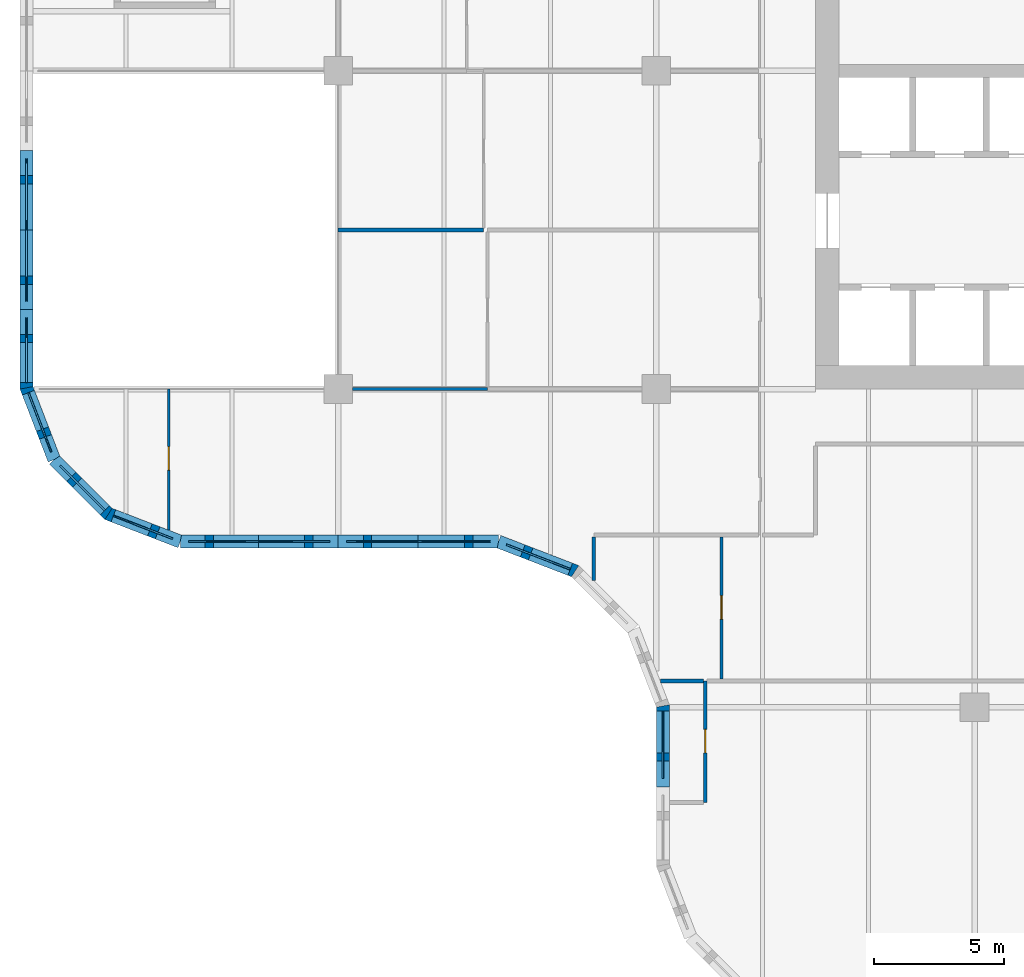
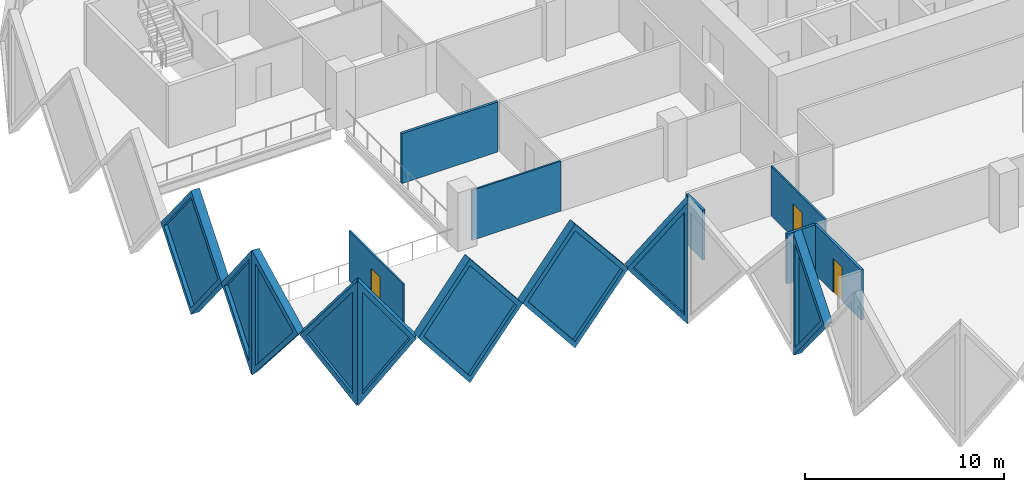
# One storey, part 4 of 18: 16 walls, 9 plates, 3 doors, 12 openings.
"""IFC4 building model written with IfcOpenShell, lengths in metres."""

from ifc_helpers import new_model, si_unit, direction, frame, frame_2d, origin, place, context, subcontext, project, spatial, polyline, rectangle, outline, extrude, faceted_brep, source, transform, mapped, material, layer, layer_set, type_object, element, fill, save


model = new_model("IFC4")

# Units and contexts
model_context = context("Model", 3, precision=1e-05, world=origin(), true_north=direction((0.0, 1.0)))
body_context = subcontext(model_context, "Body", "Model", "MODEL_VIEW")
ifc_project = project(units=[si_unit("LENGTHUNIT", "METRE"), si_unit("AREAUNIT", "SQUARE_METRE"), si_unit("VOLUMEUNIT", "CUBIC_METRE"), si_unit("PLANEANGLEUNIT", "RADIAN"), si_unit("MASSUNIT", "GRAM", prefix="KILO")], contexts=[model_context])

# Site, building, storey
site_placement = place(None, origin())
site = spatial("IfcSite", under=ifc_project, at=site_placement, CompositionType="ELEMENT")
building_placement = place(site_placement, origin())
building = spatial("IfcBuilding", under=site, at=building_placement, Name="Tessera Gate Towers", CompositionType="ELEMENT")
storey_placement = place(building_placement, frame((0.0, 0.0, 44.800048828125)))
storey = spatial("IfcBuildingStorey", under=building, at=storey_placement, Name="L10", CompositionType="ELEMENT", Elevation=44.800048828125)

# Wall, opening, door
ifc_material_1 = material(Name="Glass", Category="glass")
ifc_layer_1 = layer(ifc_material_1, 0.10009765625)
ifc_layer_set_1 = layer_set([ifc_layer_1], Name="GLAZED PARTITION 100")
wall_type_1 = type_object("IfcWallType", Name="GLAZED PARTITION 100", PredefinedType="PARTITIONING", material=ifc_layer_set_1)
wall_1_placement = place(storey_placement, frame((5.699951171875, 18.990234375, 0.0), z_axis=(0.0, 0.0, 1.0), x_axis=(0.0, 1.0, 0.0)))
wall_1 = element("IfcWall", 1, at=wall_1_placement, inside=storey, type_object=wall_type_1, Name="T1-L10-PW-021", PredefinedType="PARTITIONING", context=body_context, shape_type="SweptSolid", body=[
    extrude(rectangle(XDim=5.40966796875, YDim=0.10009765625, at=frame_2d((2.704833984375, 0.0))), origin(), (0.0, 0.0, 1.0), 3.06689453125),
])
shared_shape_1 = source(origin(), body_context, "Body", "SweptSolid", [
    extrude(rectangle(XDim=0.89990234375, YDim=2.10009765625, at=frame_2d((0.449951171875, 1.050048828125))), frame((0.0, 0.06005859375, 0.0), z_axis=(0.0, -1.0, 0.0), x_axis=(1.0, 0.0, 0.0)), (0.0, 0.0, 1.0), 0.1201171875),
])
opening_1_placement = place(wall_1_placement, frame((2.300048828125, 0.0, 0.0)))
opening_1 = element("IfcOpeningElement", 2, at=opening_1_placement, cuts=wall_1, Name="Opening D690-A03-01", PredefinedType="OPENING", context=body_context, shape_type="MappedRepresentation", body=[
    mapped(shared_shape_1, transform((0.0, 0.0, 0.0), scale=1.0)),
])
ifc_material_2 = material(Name="Glass in aluminium frame", Category="aluminium")
door_type_1 = type_object("IfcDoorType", Name="GLAZED DOOR 900 NOT RATED", OperationType="NOTDEFINED", PredefinedType="DOOR", material=ifc_material_2)
shared_shape_2 = source(origin(), body_context, "Body", "SweptSolid", [
    extrude(rectangle(XDim=0.89990234375, YDim=2.10009765625, at=frame_2d((0.449951171875, 1.050048828125))), frame((0.0, 0.02490234375, 0.0), z_axis=(0.0, -1.0, 0.0), x_axis=(1.0, 0.0, 0.0)), (0.0, 0.0, 1.0), 0.050048828125),
])
door_1_placement = place(opening_1_placement, origin())
door_1 = element("IfcDoor", 3, at=door_1_placement, inside=storey, type_object=door_type_1, Name="T1-L10-PD-008", OperationType="SINGLE_SWING_LEFT", OverallHeight=2.10009765625, OverallWidth=0.89990234375, PredefinedType="DOOR", context=body_context, shape_type="MappedRepresentation", body=[
    mapped(shared_shape_2, transform((0.0, 0.0, 0.0), scale=1.0)),
])
fill(opening_1, door_1)

# Wall
wall_2_placement = place(storey_placement, frame((12.7509765625, 24.39990234375, 0.0), z_axis=(0.0, 0.0, 1.0), x_axis=(1.0, 0.0, 0.0)))
element("IfcWall", 4, at=wall_2_placement, inside=storey, type_object=wall_type_1, Name="T1-L10-PW-026", PredefinedType="PARTITIONING", context=body_context, shape_type="SweptSolid", body=[
    extrude(rectangle(XDim=5.173095703125, YDim=0.10009765625, at=frame_2d((2.58642578125, 0.0))), origin(), (0.0, 0.0, 1.0), 3.06689453125),
])

# Wall, opening, door
ifc_material_3 = material(Name="Gypsum board on steel studs", Category="steel")
ifc_layer_2 = layer(ifc_material_3, 0.10009765625)
ifc_layer_set_2 = layer_set([ifc_layer_2], Name="PARTITION 100")
wall_type_2 = type_object("IfcWallType", Name="PARTITION 100", PredefinedType="PARTITIONING", material=ifc_layer_set_2)
wall_3_placement = place(storey_placement, frame((26.89990234375, 13.27587890625, 0.0), z_axis=(0.0, 0.0, 1.0), x_axis=(0.0, 1.0, 0.0)))
wall_3 = element("IfcWall", 5, at=wall_3_placement, inside=storey, type_object=wall_type_2, Name="T1-L10-PW-011", PredefinedType="PARTITIONING", context=body_context, shape_type="SweptSolid", body=[
    extrude(rectangle(XDim=5.4482421875, YDim=0.10009765625, at=frame_2d((2.72412109375, 0.0))), origin(), (0.0, 0.0, 1.0), 3.06689453125),
])
opening_2_placement = place(wall_3_placement, frame((2.300048828125, 0.0, 0.0)))
opening_2 = element("IfcOpeningElement", 6, at=opening_2_placement, cuts=wall_3, Name="Opening D190-A03-06", PredefinedType="OPENING", context=body_context, shape_type="MappedRepresentation", body=[
    mapped(shared_shape_1, transform((0.0, 0.0, 0.0), scale=1.0)),
])
ifc_material_4 = material(Name="Timber door leaf in steel frame", Category="steel")
door_type_2 = type_object("IfcDoorType", Name="INTERNAL DOOR 900 NOT RATED", OperationType="NOTDEFINED", PredefinedType="DOOR", material=ifc_material_4)
door_2_placement = place(opening_2_placement, origin())
door_2 = element("IfcDoor", 7, at=door_2_placement, inside=storey, type_object=door_type_2, Name="T1-L10-PD-009", OperationType="SINGLE_SWING_LEFT", OverallHeight=2.10009765625, OverallWidth=0.89990234375, PredefinedType="DOOR", context=body_context, shape_type="MappedRepresentation", body=[
    mapped(shared_shape_2, transform((0.0, 0.0, 0.0), scale=1.0)),
])
fill(opening_2, door_2)

ifc_material_5 = material(Name="Gypsum board on steel studs, mineral wool", Category="steel")
ifc_layer_3 = layer(ifc_material_5, 0.14990234375)
ifc_layer_set_3 = layer_set([ifc_layer_3], Name="TENANCY WALL 150")
wall_type_3 = type_object("IfcWallType", Name="TENANCY WALL 150", PredefinedType="PARTITIONING", material=ifc_layer_set_3)
wall_4_placement = place(storey_placement, frame((26.27490234375, 8.5478515625, 0.0), z_axis=(0.0, 0.0, 1.0), x_axis=(0.0, 1.0, 0.0)))
wall_4 = element("IfcWall", 8, at=wall_4_placement, inside=storey, type_object=wall_type_3, Name="T1-L10-PW-007", PredefinedType="PARTITIONING", context=body_context, shape_type="SweptSolid", body=[
    extrude(rectangle(XDim=4.652099609375, YDim=0.14990234375, at=frame_2d((2.326171875, 0.0))), origin(), (0.0, 0.0, 1.0), 3.06689453125),
])
shared_shape_3 = source(origin(), body_context, "Body", "SweptSolid", [
    extrude(rectangle(XDim=0.89990234375, YDim=2.10009765625, at=frame_2d((0.449951171875, 1.050048828125))), frame((0.0, 0.0849609375, 0.0), z_axis=(0.0, -1.0, 0.0), x_axis=(1.0, 0.0, 0.0)), (0.0, 0.0, 1.0), 0.169921875),
])
opening_3_placement = place(wall_4_placement, frame((1.89990234375, 0.0, 0.0)))
opening_3 = element("IfcOpeningElement", 9, at=opening_3_placement, cuts=wall_4, Name="Opening D190-A03-09", PredefinedType="OPENING", context=body_context, shape_type="MappedRepresentation", body=[
    mapped(shared_shape_3, transform((0.0, 0.0, 0.0), scale=1.0)),
])
door_3_placement = place(opening_3_placement, origin())
door_3 = element("IfcDoor", 10, at=door_3_placement, inside=storey, type_object=door_type_2, Name="T1-L10-PD-015", OperationType="SINGLE_SWING_LEFT", OverallHeight=2.10009765625, OverallWidth=0.89990234375, PredefinedType="DOOR", context=body_context, shape_type="MappedRepresentation", body=[
    mapped(shared_shape_2, transform((0.0, 0.0, 0.0), scale=1.0)),
])
fill(opening_3, door_3)

# Walls
wall_5_placement = place(storey_placement, frame((24.55029296875, 13.199951171875, 0.0), z_axis=(0.0, 0.0, 1.0), x_axis=(1.0, 0.0, 0.0)))
element("IfcWall", 11, at=wall_5_placement, inside=storey, type_object=wall_type_3, Name="T1-L10-PW-009", PredefinedType="PARTITIONING", context=body_context, shape_type="SweptSolid", body=[
    extrude(rectangle(XDim=1.648681640625, YDim=0.14990234375, at=frame_2d((0.82421875, 0.0))), origin(), (0.0, 0.0, 1.0), 3.06689453125),
])
wall_6_placement = place(storey_placement, frame((22.0, 17.054931640625, 0.0), z_axis=(0.0, 0.0, 1.0), x_axis=(0.0, 1.0, 0.0)))
element("IfcWall", 12, at=wall_6_placement, inside=storey, type_object=wall_type_3, Name="T1-L10-PW-015", PredefinedType="PARTITIONING", context=body_context, shape_type="SweptSolid", body=[
    extrude(rectangle(XDim=1.669189453125, YDim=0.14990234375, at=frame_2d((0.83447265625, 0.0))), origin(), (0.0, 0.0, 1.0), 3.06689453125),
])
wall_7_placement = place(storey_placement, frame((12.199951171875, 30.5, 0.0), z_axis=(0.0, 0.0, 1.0), x_axis=(1.0, 0.0, 0.0)))
element("IfcWall", 13, at=wall_7_placement, inside=storey, type_object=wall_type_3, Name="T1-L10-PW-030", PredefinedType="PARTITIONING", context=body_context, shape_type="SweptSolid", body=[
    extrude(rectangle(XDim=5.574951171875, YDim=0.14990234375, at=frame_2d((2.78759765625, 0.0))), origin(), (0.0, 0.0, 1.0), 3.06689453125),
])

# Wall, opening, plate
ifc_material_6 = material(Name="Precast concrete C60/75 white", Category="concrete")
ifc_layer_4 = layer(ifc_material_6, 0.5)
ifc_layer_set_4 = layer_set([ifc_layer_4], Name="TS1 tessera")
wall_type_4 = type_object("IfcWallType", Name="TS1 tessera", PredefinedType="SOLIDWALL", material=ifc_layer_set_4)
shared_shape_4 = source(origin(), body_context, "Body", "Brep", [
    faceted_brep([(3.00341796875, -0.25, 0.0), (6.053466796875, -0.25, 3.800048828125), (3.00341796875, -0.25, 7.60009765625), (0.0, -0.25, 3.800048828125), (0.046630859375, 0.25, 3.85888671875), (3.00341796875, 0.25, 7.60009765625), (6.053466796875, 0.25, 3.800048828125), (3.00341796875, 0.25, 0.0), (0.046630859375, 0.25, 3.7412109375), (0.0, 0.0, 3.800048828125)], [[[0, 1, 2, 3]], [[4, 5, 6, 7, 8]], [[7, 6, 1, 0]], [[6, 5, 2, 1]], [[5, 4, 9, 3, 2]], [[8, 7, 0, 3, 9]], [[8, 9, 4]]]),
])
wall_8_placement = place(storey_placement, frame((6.146484375, 18.550048828125, -3.800048828125), z_axis=(0.0, 0.0, 1.0), x_axis=(1.0, 0.0, 0.0)))
wall_8 = element("IfcWall", 14, at=wall_8_placement, inside=storey, type_object=wall_type_4, Name="Precast tessera T1 TS1-0136", PredefinedType="SOLIDWALL", context=body_context, shape_type="MappedRepresentation", body=[
    mapped(shared_shape_4, transform((0.0, 0.0, 0.0), scale=1.0)),
])
shared_shape_5 = source(origin(), body_context, "Body", "SweptSolid", [
    extrude(outline(polyline([(3.0048828125, 0.4013671875), (5.73291015625, 3.800048828125), (3.0048828125, 7.19873046875), (0.318603515625, 3.800048828125), (3.0048828125, 0.4013671875)])), frame((0.0, 0.260009765625, 0.0), z_axis=(0.0, -1.0, 0.0), x_axis=(1.0, 0.0, 0.0)), (0.0, 0.0, 1.0), 0.52001953125),
])
opening_4_placement = place(wall_8_placement, origin())
opening_4 = element("IfcOpeningElement", 15, at=opening_4_placement, cuts=wall_8, Name="Opening T1-PL2-0272", PredefinedType="OPENING", context=body_context, shape_type="MappedRepresentation", body=[
    mapped(shared_shape_5, transform((0.0, 0.0, 0.0), scale=1.0)),
])
ifc_material_7 = material(Name="Low-e laminated glass", Category="glass")
ifc_layer_5 = layer(ifc_material_7, 0.06005859375)
ifc_layer_set_5 = layer_set([ifc_layer_5], Name="PL2 rhombic pane")
plate_type = type_object("IfcPlateType", Name="PL2 rhombic pane", PredefinedType="SHEET", material=ifc_layer_set_5)
shared_shape_6 = source(origin(), body_context, "Body", "SweptSolid", [
    extrude(outline(polyline([(3.0048828125, 0.4013671875), (5.73291015625, 3.800048828125), (3.0048828125, 7.19873046875), (0.318603515625, 3.800048828125), (3.0048828125, 0.4013671875)])), frame((0.0, 0.030029296875, 0.0), z_axis=(0.0, -1.0, 0.0), x_axis=(1.0, 0.0, 0.0)), (0.0, 0.0, 1.0), 0.06005859375),
])
plate_1_placement = place(opening_4_placement, origin())
plate_1 = element("IfcPlate", 16, at=plate_1_placement, inside=storey, type_object=plate_type, Name="Glass pane T1 PL2-0272", PredefinedType="SHEET", context=body_context, shape_type="MappedRepresentation", body=[
    mapped(shared_shape_6, transform((0.0, 0.0, 0.0), scale=1.0)),
])
fill(opening_4, plate_1)

shared_shape_7 = source(origin(), body_context, "Body", "SweptSolid", [
    extrude(outline(polyline([(3.050048828125, 0.0), (6.10009765625, 3.800048828125), (3.050048828125, 7.60009765625), (0.0, 3.800048828125), (3.050048828125, 0.0)])), frame((0.0, 0.25, 0.0), z_axis=(0.0, -1.0, 0.0), x_axis=(1.0, 0.0, 0.0)), (0.0, 0.0, 1.0), 0.5),
])
wall_9_placement = place(storey_placement, frame((0.25, 33.550048828125, -3.800048828125), z_axis=(0.0, 0.0, 1.0), x_axis=(0.0, -1.0, 0.0)))
wall_9 = element("IfcWall", 17, at=wall_9_placement, inside=storey, type_object=wall_type_4, Name="Precast tessera T1 TS1-0135", PredefinedType="SOLIDWALL", context=body_context, shape_type="MappedRepresentation", body=[
    mapped(shared_shape_7, transform((0.0, 0.0, 0.0), scale=1.0)),
])
shared_shape_8 = source(origin(), body_context, "Body", "SweptSolid", [
    extrude(outline(polyline([(3.050048828125, 0.3994140625), (5.779541015625, 3.800048828125), (3.050048828125, 7.20068359375), (0.320556640625, 3.800048828125), (3.050048828125, 0.3994140625)])), frame((0.0, 0.260009765625, 0.0), z_axis=(0.0, -1.0, 0.0), x_axis=(1.0, 0.0, 0.0)), (0.0, 0.0, 1.0), 0.52001953125),
])
opening_5_placement = place(wall_9_placement, origin())
opening_5 = element("IfcOpeningElement", 18, at=opening_5_placement, cuts=wall_9, Name="Opening T1-PL2-0267", PredefinedType="OPENING", context=body_context, shape_type="MappedRepresentation", body=[
    mapped(shared_shape_8, transform((0.0, 0.0, 0.0), scale=1.0)),
])
shared_shape_9 = source(origin(), body_context, "Body", "SweptSolid", [
    extrude(outline(polyline([(3.050048828125, 0.3994140625), (5.779541015625, 3.800048828125), (3.050048828125, 7.20068359375), (0.320556640625, 3.800048828125), (3.050048828125, 0.3994140625)])), frame((0.0, 0.030029296875, 0.0), z_axis=(0.0, -1.0, 0.0), x_axis=(1.0, 0.0, 0.0)), (0.0, 0.0, 1.0), 0.06005859375),
])
plate_2_placement = place(opening_5_placement, origin())
plate_2 = element("IfcPlate", 19, at=plate_2_placement, inside=storey, type_object=plate_type, Name="Glass pane T1 PL2-0267", PredefinedType="SHEET", context=body_context, shape_type="MappedRepresentation", body=[
    mapped(shared_shape_9, transform((0.0, 0.0, 0.0), scale=1.0)),
])
fill(opening_5, plate_2)

ifc_material_8 = material(Name="Precast concrete C60/75 white", Category="concrete")
ifc_layer_6 = layer(ifc_material_8, 0.5)
ifc_layer_set_6 = layer_set([ifc_layer_6], Name="TS3 corner tessera")
wall_type_5 = type_object("IfcWallType", Name="TS3 corner tessera", PredefinedType="SOLIDWALL", material=ifc_layer_set_6)
shared_shape_10 = source(origin(), body_context, "Body", "Brep", [
    faceted_brep([(3.00341796875, -0.25, 0.0), (3.050048828125, -0.25, 0.06005859375), (3.050048828125, -0.25, 7.5400390625), (3.00341796875, -0.25, 7.60009765625), (0.0, -0.25, 3.800048828125), (0.0, 0.25, 3.800048828125), (2.956787109375, 0.25, 7.541259765625), (2.956787109375, 0.25, 0.058837890625), (3.00341796875, 0.000244140625, 0.0), (3.00341796875, 0.000244140625, 7.60009765625)], [[[0, 1, 2, 3, 4]], [[5, 6, 7]], [[1, 0, 8]], [[9, 3, 2]], [[6, 5, 4, 3, 9]], [[5, 7, 8, 0, 4]], [[1, 8, 7, 6, 9, 2]]]),
])
wall_10_placement = place(storey_placement, frame((0.25, 27.449951171875, -3.800048828125), z_axis=(0.0, 0.0, 1.0), x_axis=(0.0, -1.0, 0.0)))
wall_10 = element("IfcWall", 20, at=wall_10_placement, inside=storey, type_object=wall_type_5, Name="Precast corner tessera T1 TS3-0205", PredefinedType="SOLIDWALL", context=body_context, shape_type="MappedRepresentation", body=[
    mapped(shared_shape_10, transform((0.0, 0.0, 0.0), scale=1.0)),
])
shared_shape_11 = source(origin(), body_context, "Body", "SweptSolid", [
    extrude(outline(polyline([(2.803466796875, 6.94384765625), (0.318603515625, 3.800048828125), (2.803466796875, 0.65625), (2.803466796875, 6.94384765625)])), frame((0.0, 0.260009765625, 0.0), z_axis=(0.0, -1.0, 0.0), x_axis=(1.0, 0.0, 0.0)), (0.0, 0.0, 1.0), 0.52001953125),
])
opening_6_placement = place(wall_10_placement, origin())
opening_6 = element("IfcOpeningElement", 21, at=opening_6_placement, cuts=wall_10, Name="Opening T1-PL2-0268", PredefinedType="OPENING", context=body_context, shape_type="MappedRepresentation", body=[
    mapped(shared_shape_11, transform((0.0, 0.0, 0.0), scale=1.0)),
])
shared_shape_12 = source(origin(), body_context, "Body", "SweptSolid", [
    extrude(outline(polyline([(2.803466796875, 6.94384765625), (0.318603515625, 3.800048828125), (2.803466796875, 0.65625), (2.803466796875, 6.94384765625)])), frame((0.0, 0.030029296875, 0.0), z_axis=(0.0, -1.0, 0.0), x_axis=(1.0, 0.0, 0.0)), (0.0, 0.0, 1.0), 0.06005859375),
])
plate_3_placement = place(opening_6_placement, origin())
plate_3 = element("IfcPlate", 22, at=plate_3_placement, inside=storey, type_object=plate_type, Name="Glass pane T1 PL2-0268", PredefinedType="SHEET", context=body_context, shape_type="MappedRepresentation", body=[
    mapped(shared_shape_12, transform((0.0, 0.0, 0.0), scale=1.0)),
])
fill(opening_6, plate_3)

shared_shape_13 = source(origin(), body_context, "Body", "Brep", [
    faceted_brep([(0.046630859375, -0.25, 0.0), (2.9970703125, -0.25, 3.800048828125), (0.046630859375, -0.25, 7.60009765625), (0.0, -0.25, 7.541259765625), (0.0, -0.25, 0.058837890625), (0.09326171875, 0.25, 7.5400390625), (2.9443359375, 0.25, 3.8681640625), (2.9443359375, 0.25, 3.73193359375), (0.09326171875, 0.25, 0.06005859375), (2.9970703125, 0.00048828125, 3.800048828125), (0.046630859375, 0.0, 0.0), (0.046630859375, 0.0, 7.60009765625)], [[[0, 1, 2, 3, 4]], [[5, 6, 7, 8]], [[8, 7, 9, 1, 0, 10]], [[6, 5, 11, 2, 1, 9]], [[3, 2, 11]], [[10, 0, 4]], [[8, 10, 4, 3, 11, 5]], [[9, 7, 6]]]),
])
wall_11_placement = place(storey_placement, frame((0.233154296875, 24.489990234375, -3.800048828125), z_axis=(0.0, 0.0, 1.0), x_axis=(0.359901446078, -0.932990326376, 0.0)))
wall_11 = element("IfcWall", 23, at=wall_11_placement, inside=storey, type_object=wall_type_5, Name="Precast corner tessera T1 TS3-0206", PredefinedType="SOLIDWALL", context=body_context, shape_type="MappedRepresentation", body=[
    mapped(shared_shape_13, transform((0.0, 0.0, 0.0), scale=1.0)),
])
shared_shape_14 = source(origin(), body_context, "Body", "SweptSolid", [
    extrude(outline(polyline([(0.24658203125, 0.665283203125), (2.6806640625, 3.800048828125), (0.24658203125, 6.934814453125), (0.24658203125, 0.665283203125)])), frame((0.0, 0.260009765625, 0.0), z_axis=(0.0, -1.0, 0.0), x_axis=(1.0, 0.0, 0.0)), (0.0, 0.0, 1.0), 0.52001953125),
])
opening_7_placement = place(wall_11_placement, origin())
opening_7 = element("IfcOpeningElement", 24, at=opening_7_placement, cuts=wall_11, Name="Opening T1-PL2-0269", PredefinedType="OPENING", context=body_context, shape_type="MappedRepresentation", body=[
    mapped(shared_shape_14, transform((0.0, 0.0, 0.0), scale=1.0)),
])
shared_shape_15 = source(origin(), body_context, "Body", "SweptSolid", [
    extrude(outline(polyline([(0.24658203125, 0.665283203125), (2.6806640625, 3.800048828125), (0.24658203125, 6.934814453125), (0.24658203125, 0.665283203125)])), frame((0.0, 0.030029296875, 0.0), z_axis=(0.0, -1.0, 0.0), x_axis=(1.0, 0.0, 0.0)), (0.0, 0.0, 1.0), 0.06005859375),
])
plate_4_placement = place(opening_7_placement, origin())
plate_4 = element("IfcPlate", 25, at=plate_4_placement, inside=storey, type_object=plate_type, Name="Glass pane T1 PL2-0269", PredefinedType="SHEET", context=body_context, shape_type="MappedRepresentation", body=[
    mapped(shared_shape_15, transform((0.0, 0.0, 0.0), scale=1.0)),
])
fill(opening_7, plate_4)

shared_shape_16 = source(origin(), body_context, "Body", "Brep", [
    faceted_brep([(0.052978515625, -0.25, 0.0), (3.00341796875, -0.25, 3.800048828125), (0.052978515625, -0.25, 7.60009765625), (0.0, -0.25, 7.53173828125), (0.0, -0.25, 0.068359375), (0.10595703125, 0.25, 7.531982421875), (2.95703125, 0.25, 3.85986328125), (2.95703125, 0.25, 3.740234375), (0.10595703125, 0.25, 0.068115234375), (3.00341796875, 0.00048828125, 3.800048828125), (0.052978515625, 0.0, 0.0), (0.052978515625, 0.0, 7.60009765625)], [[[0, 1, 2, 3, 4]], [[5, 6, 7, 8]], [[8, 7, 9, 1, 0, 10]], [[6, 5, 11, 2, 1, 9]], [[3, 2, 11]], [[10, 0, 4]], [[8, 10, 4, 3, 11, 5]], [[9, 7, 6]]]),
])
wall_12_placement = place(storey_placement, frame((3.34423828125, 19.630859375, -3.800048828125), z_axis=(0.0, 0.0, 1.0), x_axis=(0.933007896601, -0.359855894603, 0.0)))
wall_12 = element("IfcWall", 26, at=wall_12_placement, inside=storey, type_object=wall_type_5, Name="Precast corner tessera T1 TS3-0208", PredefinedType="SOLIDWALL", context=body_context, shape_type="MappedRepresentation", body=[
    mapped(shared_shape_16, transform((0.0, 0.0, 0.0), scale=1.0)),
])
shared_shape_17 = source(origin(), body_context, "Body", "SweptSolid", [
    extrude(outline(polyline([(0.2529296875, 0.665283203125), (2.68701171875, 3.800048828125), (0.2529296875, 6.934814453125), (0.2529296875, 0.665283203125)])), frame((0.0, 0.260009765625, 0.0), z_axis=(0.0, -1.0, 0.0), x_axis=(1.0, 0.0, 0.0)), (0.0, 0.0, 1.0), 0.52001953125),
])
opening_8_placement = place(wall_12_placement, origin())
opening_8 = element("IfcOpeningElement", 27, at=opening_8_placement, cuts=wall_12, Name="Opening T1-PL2-0271", PredefinedType="OPENING", context=body_context, shape_type="MappedRepresentation", body=[
    mapped(shared_shape_17, transform((0.0, 0.0, 0.0), scale=1.0)),
])
shared_shape_18 = source(origin(), body_context, "Body", "SweptSolid", [
    extrude(outline(polyline([(0.2529296875, 0.665283203125), (2.68701171875, 3.800048828125), (0.2529296875, 6.934814453125), (0.2529296875, 0.665283203125)])), frame((0.0, 0.030029296875, 0.0), z_axis=(0.0, -1.0, 0.0), x_axis=(1.0, 0.0, 0.0)), (0.0, 0.0, 1.0), 0.06005859375),
])
plate_5_placement = place(opening_8_placement, origin())
plate_5 = element("IfcPlate", 28, at=plate_5_placement, inside=storey, type_object=plate_type, Name="Glass pane T1 PL2-0271", PredefinedType="SHEET", context=body_context, shape_type="MappedRepresentation", body=[
    mapped(shared_shape_18, transform((0.0, 0.0, 0.0), scale=1.0)),
])
fill(opening_8, plate_5)

shared_shape_19 = source(origin(), body_context, "Body", "Brep", [
    faceted_brep([(2.944091796875, -0.25, 0.0), (2.9970703125, -0.25, 0.068115234375), (2.9970703125, -0.25, 7.531982421875), (2.944091796875, -0.25, 7.60009765625), (0.0, -0.25, 3.800048828125), (0.052978515625, 0.25, 3.868408203125), (2.89111328125, 0.25, 7.531982421875), (2.89111328125, 0.25, 0.068115234375), (0.052978515625, 0.25, 3.731689453125), (2.944091796875, 0.000244140625, 0.0), (2.944091796875, 0.000244140625, 7.60009765625), (0.0, 0.0, 3.800048828125)], [[[0, 1, 2, 3, 4]], [[5, 6, 7, 8]], [[1, 0, 9]], [[10, 3, 2]], [[6, 5, 11, 4, 3, 10]], [[8, 7, 9, 0, 4, 11]], [[8, 11, 5]], [[1, 9, 7, 6, 10, 2]]]),
])
wall_13_placement = place(storey_placement, frame((1.31201171875, 21.69384765625, -3.800048828125), z_axis=(0.0, 0.0, 1.0), x_axis=(0.707066050402, -0.707147509625, 0.0)))
wall_13 = element("IfcWall", 29, at=wall_13_placement, inside=storey, type_object=wall_type_5, Name="Precast corner tessera T1 TS3-0207", PredefinedType="SOLIDWALL", context=body_context, shape_type="MappedRepresentation", body=[
    mapped(shared_shape_19, transform((0.0, 0.0, 0.0), scale=1.0)),
])
shared_shape_20 = source(origin(), body_context, "Body", "SweptSolid", [
    extrude(outline(polyline([(2.744140625, 6.93359375), (0.316162109375, 3.800048828125), (2.744140625, 0.666259765625), (2.744140625, 6.93359375)])), frame((0.0, 0.260009765625, 0.0), z_axis=(0.0, -1.0, 0.0), x_axis=(1.0, 0.0, 0.0)), (0.0, 0.0, 1.0), 0.52001953125),
])
opening_9_placement = place(wall_13_placement, origin())
opening_9 = element("IfcOpeningElement", 30, at=opening_9_placement, cuts=wall_13, Name="Opening T1-PL2-0270", PredefinedType="OPENING", context=body_context, shape_type="MappedRepresentation", body=[
    mapped(shared_shape_20, transform((0.0, 0.0, 0.0), scale=1.0)),
])
shared_shape_21 = source(origin(), body_context, "Body", "SweptSolid", [
    extrude(outline(polyline([(2.744140625, 6.93359375), (0.316162109375, 3.800048828125), (2.744140625, 0.666259765625), (2.744140625, 6.93359375)])), frame((0.0, 0.030029296875, 0.0), z_axis=(0.0, -1.0, 0.0), x_axis=(1.0, 0.0, 0.0)), (0.0, 0.0, 1.0), 0.06005859375),
])
plate_6_placement = place(opening_9_placement, origin())
plate_6 = element("IfcPlate", 31, at=plate_6_placement, inside=storey, type_object=plate_type, Name="Glass pane T1 PL2-0270", PredefinedType="SHEET", context=body_context, shape_type="MappedRepresentation", body=[
    mapped(shared_shape_21, transform((0.0, 0.0, 0.0), scale=1.0)),
])
fill(opening_9, plate_6)

shared_shape_22 = source(origin(), body_context, "Body", "Brep", [
    faceted_brep([(3.050048828125, -0.25, 0.0), (6.10009765625, -0.25, 3.742919921875), (6.10009765625, -0.25, 3.857177734375), (3.050048828125, -0.25, 7.60009765625), (0.0, -0.25, 3.800048828125), (0.0, 0.25, 3.800048828125), (3.050048828125, 0.25, 7.60009765625), (6.146484375, 0.25, 3.800048828125), (3.050048828125, 0.25, 0.0), (6.146484375, -0.000244140625, 3.800048828125)], [[[0, 1, 2, 3, 4]], [[5, 6, 7, 8]], [[8, 7, 9, 1, 0]], [[7, 6, 3, 2, 9]], [[6, 5, 4, 3]], [[5, 8, 0, 4]], [[1, 9, 2]]]),
])
wall_14_placement = place(storey_placement, frame((12.199951171875, 18.550048828125, -3.800048828125), z_axis=(0.0, 0.0, 1.0), x_axis=(1.0, 0.0, 0.0)))
wall_14 = element("IfcWall", 32, at=wall_14_placement, inside=storey, type_object=wall_type_4, Name="Precast tessera T1 TS1-0137", PredefinedType="SOLIDWALL", context=body_context, shape_type="MappedRepresentation", body=[
    mapped(shared_shape_22, transform((0.0, 0.0, 0.0), scale=1.0)),
])
shared_shape_23 = source(origin(), body_context, "Body", "SweptSolid", [
    extrude(outline(polyline([(3.051513671875, 0.3974609375), (5.823974609375, 3.800048828125), (3.051513671875, 7.202392578125), (0.320556640625, 3.800048828125), (3.051513671875, 0.3974609375)])), frame((0.0, 0.260009765625, 0.0), z_axis=(0.0, -1.0, 0.0), x_axis=(1.0, 0.0, 0.0)), (0.0, 0.0, 1.0), 0.52001953125),
])
opening_10_placement = place(wall_14_placement, origin())
opening_10 = element("IfcOpeningElement", 33, at=opening_10_placement, cuts=wall_14, Name="Opening T1-PL2-0273", PredefinedType="OPENING", context=body_context, shape_type="MappedRepresentation", body=[
    mapped(shared_shape_23, transform((0.0, 0.0, 0.0), scale=1.0)),
])
shared_shape_24 = source(origin(), body_context, "Body", "SweptSolid", [
    extrude(outline(polyline([(3.051513671875, 0.3974609375), (5.823974609375, 3.800048828125), (3.051513671875, 7.202392578125), (0.320556640625, 3.800048828125), (3.051513671875, 0.3974609375)])), frame((0.0, 0.030029296875, 0.0), z_axis=(0.0, -1.0, 0.0), x_axis=(1.0, 0.0, 0.0)), (0.0, 0.0, 1.0), 0.06005859375),
])
plate_7_placement = place(opening_10_placement, origin())
plate_7 = element("IfcPlate", 34, at=plate_7_placement, inside=storey, type_object=plate_type, Name="Glass pane T1 PL2-0273", PredefinedType="SHEET", context=body_context, shape_type="MappedRepresentation", body=[
    mapped(shared_shape_24, transform((0.0, 0.0, 0.0), scale=1.0)),
])
fill(opening_10, plate_7)

shared_shape_25 = source(origin(), body_context, "Body", "Brep", [
    faceted_brep([(3.096435546875, -0.25, 7.536376953125), (0.046630859375, -0.25, 3.856201171875), (0.046630859375, -0.25, 3.743896484375), (3.096435546875, -0.25, 0.063720703125), (0.0, 0.25, 3.800048828125), (3.1494140625, 0.25, 7.60009765625), (3.202392578125, 0.25, 7.536376953125), (3.202392578125, 0.25, 0.063720703125), (3.1494140625, 0.25, 0.0), (3.1494140625, -0.000244140625, 0.0), (3.1494140625, -0.000244140625, 7.60009765625), (0.0, 0.0, 3.800048828125)], [[[0, 1, 2, 3]], [[4, 5, 6, 7, 8]], [[8, 7, 9]], [[6, 5, 10]], [[5, 4, 11, 1, 0, 10]], [[4, 8, 9, 3, 2, 11]], [[11, 2, 1]], [[3, 9, 7, 6, 10, 0]]]),
])
wall_15_placement = place(storey_placement, frame((18.346435546875, 18.550048828125, -3.800048828125), z_axis=(0.0, 0.0, 1.0), x_axis=(0.932985567668, -0.359913782069, 0.0)))
wall_15 = element("IfcWall", 35, at=wall_15_placement, inside=storey, type_object=wall_type_5, Name="Precast corner tessera T1 TS3-0209", PredefinedType="SOLIDWALL", context=body_context, shape_type="MappedRepresentation", body=[
    mapped(shared_shape_25, transform((0.0, 0.0, 0.0), scale=1.0)),
])
shared_shape_26 = source(origin(), body_context, "Body", "SweptSolid", [
    extrude(outline(polyline([(2.949462890625, 6.966796875), (0.32470703125, 3.800048828125), (2.949462890625, 0.633056640625), (2.949462890625, 6.966796875)])), frame((0.0, 0.260009765625, 0.0), z_axis=(0.0, -1.0, 0.0), x_axis=(1.0, 0.0, 0.0)), (0.0, 0.0, 1.0), 0.52001953125),
])
opening_11_placement = place(wall_15_placement, origin())
opening_11 = element("IfcOpeningElement", 36, at=opening_11_placement, cuts=wall_15, Name="Opening T1-PL2-0274", PredefinedType="OPENING", context=body_context, shape_type="MappedRepresentation", body=[
    mapped(shared_shape_26, transform((0.0, 0.0, 0.0), scale=1.0)),
])
shared_shape_27 = source(origin(), body_context, "Body", "SweptSolid", [
    extrude(outline(polyline([(2.949462890625, 6.966796875), (0.32470703125, 3.800048828125), (2.949462890625, 0.633056640625), (2.949462890625, 6.966796875)])), frame((0.0, 0.030029296875, 0.0), z_axis=(0.0, -1.0, 0.0), x_axis=(1.0, 0.0, 0.0)), (0.0, 0.0, 1.0), 0.06005859375),
])
plate_8_placement = place(opening_11_placement, origin())
plate_8 = element("IfcPlate", 37, at=plate_8_placement, inside=storey, type_object=plate_type, Name="Glass pane T1 PL2-0274", PredefinedType="SHEET", context=body_context, shape_type="MappedRepresentation", body=[
    mapped(shared_shape_27, transform((0.0, 0.0, 0.0), scale=1.0)),
])
fill(opening_11, plate_8)

shared_shape_28 = source(origin(), body_context, "Body", "Brep", [
    faceted_brep([(0.09326171875, -0.25, 0.05712890625), (3.14306640625, -0.25, 3.800048828125), (0.09326171875, -0.25, 7.54296875), (0.0, 0.25, 7.5439453125), (0.046630859375, 0.25, 7.60009765625), (3.14306640625, 0.25, 3.800048828125), (0.046630859375, 0.25, 0.0), (0.0, 0.25, 0.05615234375), (0.046630859375, 0.0, 0.0), (0.046630859375, 0.0, 7.60009765625)], [[[0, 1, 2]], [[3, 4, 5, 6, 7]], [[6, 5, 1, 0, 8]], [[5, 4, 9, 2, 1]], [[4, 3, 9]], [[7, 6, 8]], [[7, 8, 0, 2, 9, 3]]]),
])
wall_16_placement = place(storey_placement, frame((24.64990234375, 12.293212890625, -3.800048828125), z_axis=(0.0, 0.0, 1.0), x_axis=(0.0, -1.0, 0.0)))
wall_16 = element("IfcWall", 38, at=wall_16_placement, inside=storey, type_object=wall_type_5, Name="Precast corner tessera T1 TS3-0212", PredefinedType="SOLIDWALL", context=body_context, shape_type="MappedRepresentation", body=[
    mapped(shared_shape_28, transform((0.0, 0.0, 0.0), scale=1.0)),
])
shared_shape_29 = source(origin(), body_context, "Body", "SweptSolid", [
    extrude(outline(polyline([(0.24658203125, 0.64111328125), (2.82080078125, 3.800048828125), (0.24658203125, 6.958740234375), (0.24658203125, 0.64111328125)])), frame((0.0, 0.260009765625, 0.0), z_axis=(0.0, -1.0, 0.0), x_axis=(1.0, 0.0, 0.0)), (0.0, 0.0, 1.0), 0.52001953125),
])
opening_12_placement = place(wall_16_placement, origin())
opening_12 = element("IfcOpeningElement", 39, at=opening_12_placement, cuts=wall_16, Name="Opening T1-PL2-0277", PredefinedType="OPENING", context=body_context, shape_type="MappedRepresentation", body=[
    mapped(shared_shape_29, transform((0.0, 0.0, 0.0), scale=1.0)),
])
shared_shape_30 = source(origin(), body_context, "Body", "SweptSolid", [
    extrude(outline(polyline([(0.24658203125, 0.64111328125), (2.82080078125, 3.800048828125), (0.24658203125, 6.958740234375), (0.24658203125, 0.64111328125)])), frame((0.0, 0.030029296875, 0.0), z_axis=(0.0, -1.0, 0.0), x_axis=(1.0, 0.0, 0.0)), (0.0, 0.0, 1.0), 0.06005859375),
])
plate_9_placement = place(opening_12_placement, origin())
plate_9 = element("IfcPlate", 40, at=plate_9_placement, inside=storey, type_object=plate_type, Name="Glass pane T1 PL2-0277", PredefinedType="SHEET", context=body_context, shape_type="MappedRepresentation", body=[
    mapped(shared_shape_30, transform((0.0, 0.0, 0.0), scale=1.0)),
])
fill(opening_12, plate_9)

save(model, "model.ifc")
